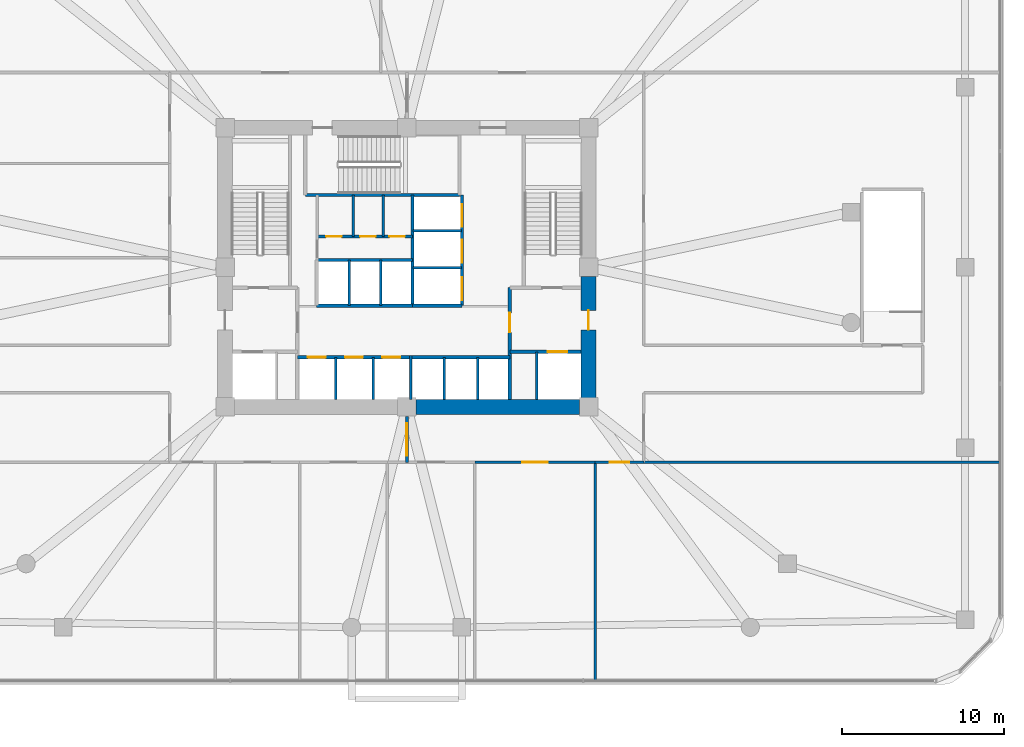
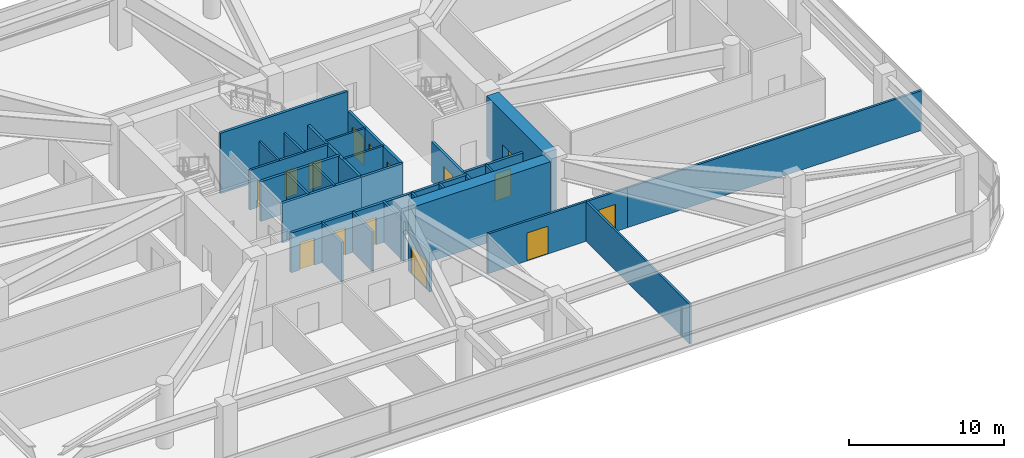
# One storey, part 17 of 21: 30 walls, 15 doors, 15 openings.
"""IFC4 building model written with IfcOpenShell, lengths in metres."""

from ifc_helpers import new_model, si_unit, derived_unit, direction, frame, frame_2d, origin, place, context, subcontext, project, spatial, rectangle, extrude, material, layer, layer_set, type_object, element, fill, save


model = new_model("IFC4")

# Units and contexts
model_context = context("Model", 3, precision=1e-05, world=origin(), true_north=direction((0.0, 1.0)))
body_context = subcontext(model_context, "Body", "Model", "MODEL_VIEW")
ifc_project = project(units=[si_unit("LENGTHUNIT", "METRE"), si_unit("AREAUNIT", "SQUARE_METRE"), si_unit("VOLUMEUNIT", "CUBIC_METRE"), si_unit("PLANEANGLEUNIT", "RADIAN"), si_unit("MASSUNIT", "GRAM", prefix="KILO"), derived_unit("THERMALTRANSMITTANCEUNIT", [(si_unit("POWERUNIT", "WATT"), 1), (si_unit("LENGTHUNIT", "METRE"), -2), (si_unit("THERMODYNAMICTEMPERATUREUNIT", "KELVIN"), -1)])], contexts=[model_context])

# Site, building, storey
site_placement = place(None, origin())
site = spatial("IfcSite", under=ifc_project, at=site_placement, CompositionType="ELEMENT")
building_placement = place(site_placement, origin())
building = spatial("IfcBuilding", under=site, at=building_placement, Name="Koralith Skygarden Medical Center", CompositionType="ELEMENT")
storey_placement = place(building_placement, frame((0.0, 0.0, 18.89990234375)))
storey = spatial("IfcBuildingStorey", under=building, at=storey_placement, Name="L04", CompositionType="ELEMENT", Elevation=18.89990234375)

# Walls
ifc_material_1 = material(Name="Gypsum Board Partition")
ifc_layer_1 = layer(ifc_material_1, 0.14990234375)
ifc_layer_set_1 = layer_set([ifc_layer_1], Name="Gypsum Board Partition")
wall_type_1 = type_object("IfcWallType", Name="Clinical Acoustic Partition 150", PredefinedType="PARTITIONING", material=ifc_layer_set_1)
for number, where, z_axis, x_axis, name in (
    (1, (33.699951171875, 27.800048828125, 0.0), (0.0, 0.0, 1.0), (0.0, 1.0, 0.0), "L04 Clinical Acoustic Partition 150 W-CORE-L04-FLEX-V2A"),
    (2, (35.56005859375, 27.800048828125, 0.0), (0.0, 0.0, 1.0), (0.0, 1.0, 0.0), "L04 Clinical Acoustic Partition 150 W-CORE-L04-FLEX-V2B"),
):
    element("IfcWall", number, at=place(storey_placement, frame(where, z_axis=z_axis, x_axis=x_axis)), inside=storey, type_object=wall_type_1, Name=name, PredefinedType="PARTITIONING", context=body_context, shape_type="SweptSolid", body=[
        extrude(rectangle(XDim=2.56005859375, YDim=0.14990234375, at=frame_2d((1.280029296875, 0.0))), origin(), (0.0, 0.0, 1.0), 3.130126953125),
    ])
wall_1_placement = place(storey_placement, frame((48.60009765625, 0.43994140625, 0.0), z_axis=(0.0, 0.0, 1.0), x_axis=(0.0, 1.0, 0.0)))
element("IfcWall", 3, at=wall_1_placement, inside=storey, type_object=wall_type_1, Name="L04 Clinical Acoustic Partition 150 W-PDPART-L04-S-5", PredefinedType="PARTITIONING", context=body_context, shape_type="SweptSolid", body=[
    extrude(rectangle(XDim=13.449951171875, YDim=0.14990234375, at=frame_2d((6.72509765625, 0.0))), origin(), (0.0, 0.0, 1.0), 3.130126953125),
])
ifc_layer_2 = layer(ifc_material_1, 0.1650390625)
ifc_layer_set_2 = layer_set([ifc_layer_2], Name="Gypsum Board Partition")
wall_type_2 = type_object("IfcWallType", Name="Clinical Corridor Partition 165", PredefinedType="PARTITIONING", material=ifc_layer_set_2)
wall_2_placement = place(storey_placement, frame((51.610107421875, 13.889892578125, 0.0), z_axis=(0.0, 0.0, 1.0), x_axis=(1.0, 0.0, 0.0)))
element("IfcWall", 4, at=wall_2_placement, inside=storey, type_object=wall_type_2, Name="L04 Clinical Corridor Partition 165 W-WB-L04-SE", PredefinedType="PARTITIONING", context=body_context, shape_type="SweptSolid", body=[
    extrude(rectangle(XDim=21.949951171875, YDim=0.1650390625, at=frame_2d((10.97509765625, 0.0))), origin(), (0.0, 0.0, 1.0), 3.130126953125),
])

# Wall, opening, door
wall_3_placement = place(storey_placement, frame((41.199951171875, 13.889892578125, 0.0), z_axis=(0.0, 0.0, 1.0), x_axis=(1.0, 0.0, 0.0)))
wall_3 = element("IfcWall", 5, at=wall_3_placement, inside=storey, type_object=wall_type_2, Name="L04 Clinical Corridor Partition 165 W-PDCOR-L04-S-5", PredefinedType="PARTITIONING", context=body_context, shape_type="SweptSolid", body=[
    extrude(rectangle(XDim=7.400146484375, YDim=0.1650390625, at=frame_2d((3.7001953125, 0.0))), origin(), (0.0, 0.0, 1.0), 3.130126953125),
])
opening_1_placement = place(wall_3_placement, frame((2.89990234375, 0.0, 0.0)))
opening_1 = element("IfcOpeningElement", 6, at=opening_1_placement, cuts=wall_3, Name="Opening D-DBL", PredefinedType="OPENING", context=body_context, shape_type="SweptSolid", body=[
    extrude(rectangle(XDim=1.60009765625, YDim=2.199951171875, at=frame_2d((0.800048828125, 1.10009765625))), frame((0.0, 0.092529296875, 0.0), z_axis=(0.0, -1.0, 0.0), x_axis=(1.0, 0.0, 0.0)), (0.0, 0.0, 1.0), 0.18505859375),
])
ifc_material_2 = material(Name="Aluminium 6063-T6", Category="aluminium")
door_type_1 = type_object("IfcDoorType", Name="Double Clinical Suite Door D-DBL 1600", OperationType="NOTDEFINED", PredefinedType="DOOR", material=ifc_material_2)
door_1_placement = place(opening_1_placement, frame((1.60009765625, 0.0, 0.0), z_axis=(0.0, 0.0, 1.0), x_axis=(-1.0, 0.0, 0.0)))
door_1 = element("IfcDoor", 7, at=door_1_placement, inside=storey, type_object=door_type_1, Name="L04 Surgical Morbidity Conference Room Door", OperationType="DOUBLE_DOOR_SINGLE_SWING", OverallHeight=2.199951171875, OverallWidth=1.60009765625, PredefinedType="DOOR", context=body_context, shape_type="SweptSolid", body=[
    extrude(rectangle(XDim=1.60009765625, YDim=2.199951171875, at=frame_2d((0.800048828125, 1.10009765625))), frame((0.0, 0.02490234375, 0.0), z_axis=(0.0, -1.0, 0.0), x_axis=(1.0, 0.0, 0.0)), (0.0, 0.0, 1.0), 0.050048828125),
])
fill(opening_1, door_1)

wall_4_placement = place(storey_placement, frame((48.60009765625, 13.889892578125, 0.0), z_axis=(0.0, 0.0, 1.0), x_axis=(1.0, 0.0, 0.0)))
wall_4 = element("IfcWall", 8, at=wall_4_placement, inside=storey, type_object=wall_type_2, Name="L04 Clinical Corridor Partition 165 W-PDCOR-L04-S-6", PredefinedType="PARTITIONING", context=body_context, shape_type="SweptSolid", body=[
    extrude(rectangle(XDim=3.010009765625, YDim=0.1650390625, at=frame_2d((1.5048828125, 0.0))), origin(), (0.0, 0.0, 1.0), 3.130126953125),
])
opening_2_placement = place(wall_4_placement, frame((0.905029296875, 0.0, 0.0)))
opening_2 = element("IfcOpeningElement", 9, at=opening_2_placement, cuts=wall_4, Name="Opening D-CLN", PredefinedType="OPENING", context=body_context, shape_type="SweptSolid", body=[
    extrude(rectangle(XDim=1.199951171875, YDim=2.14990234375, at=frame_2d((0.60009765625, 1.074951171875))), frame((0.0, 0.092529296875, 0.0), z_axis=(0.0, -1.0, 0.0), x_axis=(1.0, 0.0, 0.0)), (0.0, 0.0, 1.0), 0.18505859375),
])
door_type_2 = type_object("IfcDoorType", Name="Clinical Corridor Door D-CLN 1200", OperationType="NOTDEFINED", PredefinedType="DOOR", material=ifc_material_2)
door_2_placement = place(opening_2_placement, frame((1.199951171875, 0.0, 0.0), z_axis=(0.0, 0.0, 1.0), x_axis=(-1.0, 0.0, 0.0)))
door_2 = element("IfcDoor", 10, at=door_2_placement, inside=storey, type_object=door_type_2, Name="L04 Post-Anesthesia Care Unit PACU Ward Door", OperationType="SINGLE_SWING_LEFT", OverallHeight=2.14990234375, OverallWidth=1.199951171875, PredefinedType="DOOR", context=body_context, shape_type="SweptSolid", body=[
    extrude(rectangle(XDim=1.199951171875, YDim=2.14990234375, at=frame_2d((0.60009765625, 1.074951171875))), frame((0.0, 0.02490234375, 0.0), z_axis=(0.0, -1.0, 0.0), x_axis=(1.0, 0.0, 0.0)), (0.0, 0.0, 1.0), 0.050048828125),
])
fill(opening_2, door_2)

ifc_layer_3 = layer(ifc_material_1, 0.199951171875)
ifc_layer_set_3 = layer_set([ifc_layer_3], Name="Gypsum Board Partition")
wall_type_3 = type_object("IfcWallType", Name="Fire Shaft Wall 200", PredefinedType="SOLIDWALL", material=ifc_layer_set_3)
wall_5_placement = place(storey_placement, frame((43.35009765625, 20.699951171875, 0.0), z_axis=(0.0, 0.0, 1.0), x_axis=(1.0, 0.0, 0.0)))
wall_5 = element("IfcWall", 11, at=wall_5_placement, inside=storey, type_object=wall_type_3, Name="L04 Fire Shaft Wall 200 W-CORE-L04-FF2-N", PredefinedType="SOLIDWALL", context=body_context, shape_type="SweptSolid", body=[
    extrude(rectangle(XDim=4.39990234375, YDim=0.199951171875, at=frame_2d((2.199951171875, 0.0))), origin(), (0.0, 0.0, 1.0), 3.130126953125),
])
opening_3_placement = place(wall_5_placement, frame((2.35009765625, 0.0, 0.0)))
opening_3 = element("IfcOpeningElement", 12, at=opening_3_placement, cuts=wall_5, Name="Opening LD-FF", PredefinedType="OPENING", context=body_context, shape_type="SweptSolid", body=[
    extrude(rectangle(XDim=1.199951171875, YDim=2.14990234375, at=frame_2d((0.60009765625, 1.074951171875))), frame((0.0, 0.10986328125, 0.0), z_axis=(0.0, -1.0, 0.0), x_axis=(1.0, 0.0, 0.0)), (0.0, 0.0, 1.0), 0.219970703125),
])
ifc_material_3 = material(Name="Steel ASTM A500 Grade C", Category="steel")
door_type_3 = type_object("IfcDoorType", Name="Fire Lift Sliding Landing Door LD-FF 1200", OperationType="NOTDEFINED", PredefinedType="DOOR", material=ifc_material_3)
door_3_placement = place(opening_3_placement, origin())
door_3 = element("IfcDoor", 13, at=door_3_placement, inside=storey, type_object=door_type_3, Name="L04 Fire Service Elevator FF2 Landing Door", OperationType="SLIDING_TO_RIGHT", OverallHeight=2.14990234375, OverallWidth=1.199951171875, PredefinedType="DOOR", context=body_context, shape_type="SweptSolid", body=[
    extrude(rectangle(XDim=1.199951171875, YDim=2.14990234375, at=frame_2d((0.60009765625, 1.074951171875))), frame((0.0, 0.02490234375, 0.0), z_axis=(0.0, -1.0, 0.0), x_axis=(1.0, 0.0, 0.0)), (0.0, 0.0, 1.0), 0.050048828125),
])
fill(opening_3, door_3)

wall_6_placement = place(storey_placement, frame((43.35009765625, 17.75, 0.0), z_axis=(0.0, 0.0, 1.0), x_axis=(0.0, 1.0, 0.0)))
wall_6 = element("IfcWall", 14, at=wall_6_placement, inside=storey, type_object=wall_type_3, Name="L04 Fire Shaft Wall 200 W-CORE-L04-FSAEE-W", PredefinedType="SOLIDWALL", context=body_context, shape_type="SweptSolid", body=[
    extrude(rectangle(XDim=6.89990234375, YDim=0.199951171875, at=frame_2d((3.449951171875, 0.0))), origin(), (0.0, 0.0, 1.0), 3.130126953125),
])
opening_4_placement = place(wall_6_placement, frame((4.14990234375, 0.0, 0.0)))
opening_4 = element("IfcOpeningElement", 15, at=opening_4_placement, cuts=wall_6, Name="Opening D-ST60", PredefinedType="OPENING", context=body_context, shape_type="SweptSolid", body=[
    extrude(rectangle(XDim=1.199951171875, YDim=2.14990234375, at=frame_2d((0.60009765625, 1.074951171875))), frame((0.0, 0.10986328125, 0.0), z_axis=(0.0, -1.0, 0.0), x_axis=(1.0, 0.0, 0.0)), (0.0, 0.0, 1.0), 0.219970703125),
])
door_type_4 = type_object("IfcDoorType", Name="Smokeproof Stair Fire Door FD60S 1200", OperationType="NOTDEFINED", PredefinedType="DOOR", material=ifc_material_3)
door_4_placement = place(opening_4_placement, frame((1.199951171875, 0.0, 0.0), z_axis=(0.0, 0.0, 1.0), x_axis=(-1.0, 0.0, 0.0)))
door_4 = element("IfcDoor", 16, at=door_4_placement, inside=storey, type_object=door_type_4, Name="L04 East Firefighting Lobby Inner Fire Door", OperationType="SINGLE_SWING_RIGHT", OverallHeight=2.14990234375, OverallWidth=1.199951171875, PredefinedType="DOOR", context=body_context, shape_type="SweptSolid", body=[
    extrude(rectangle(XDim=1.199951171875, YDim=2.14990234375, at=frame_2d((0.60009765625, 1.074951171875))), frame((0.0, 0.02490234375, 0.0), z_axis=(0.0, -1.0, 0.0), x_axis=(1.0, 0.0, 0.0)), (0.0, 0.0, 1.0), 0.050048828125),
])
fill(opening_4, door_4)

# Wall, openings, doors
wall_7_placement = place(storey_placement, frame((30.25, 20.360107421875, 0.0), z_axis=(0.0, 0.0, 1.0), x_axis=(1.0, 0.0, 0.0)))
wall_7 = element("IfcWall", 17, at=wall_7_placement, inside=storey, type_object=wall_type_3, Name="L04 Fire Shaft Wall 200 W-CORE-L04-PL-N", PredefinedType="SOLIDWALL", context=body_context, shape_type="SweptSolid", body=[
    extrude(rectangle(XDim=7.0, YDim=0.199951171875, at=frame_2d((3.5, 0.0))), origin(), (0.0, 0.0, 1.0), 3.130126953125),
])
opening_5_placement = place(wall_7_placement, frame((0.64990234375, 0.0, 0.0)))
opening_5 = element("IfcOpeningElement", 18, at=opening_5_placement, cuts=wall_7, Name="Opening LD-P", PredefinedType="OPENING", context=body_context, shape_type="SweptSolid", body=[
    extrude(rectangle(XDim=1.10009765625, YDim=2.14990234375, at=frame_2d((0.550048828125, 1.074951171875))), frame((0.0, 0.10986328125, 0.0), z_axis=(0.0, -1.0, 0.0), x_axis=(1.0, 0.0, 0.0)), (0.0, 0.0, 1.0), 0.219970703125),
])
opening_6_placement = place(wall_7_placement, frame((2.949951171875, 0.0, 0.0)))
opening_6 = element("IfcOpeningElement", 19, at=opening_6_placement, cuts=wall_7, Name="Opening LD-P", PredefinedType="OPENING", context=body_context, shape_type="SweptSolid", body=[
    extrude(rectangle(XDim=1.10009765625, YDim=2.14990234375, at=frame_2d((0.550048828125, 1.074951171875))), frame((0.0, 0.10986328125, 0.0), z_axis=(0.0, -1.0, 0.0), x_axis=(1.0, 0.0, 0.0)), (0.0, 0.0, 1.0), 0.219970703125),
])
opening_7_placement = place(wall_7_placement, frame((5.25, 0.0, 0.0)))
opening_7 = element("IfcOpeningElement", 20, at=opening_7_placement, cuts=wall_7, Name="Opening LD-P", PredefinedType="OPENING", context=body_context, shape_type="SweptSolid", body=[
    extrude(rectangle(XDim=1.10009765625, YDim=2.14990234375, at=frame_2d((0.550048828125, 1.074951171875))), frame((0.0, 0.10986328125, 0.0), z_axis=(0.0, -1.0, 0.0), x_axis=(1.0, 0.0, 0.0)), (0.0, 0.0, 1.0), 0.219970703125),
])
door_type_5 = type_object("IfcDoorType", Name="Passenger Lift Sliding Landing Door LD-P 1100", OperationType="NOTDEFINED", PredefinedType="DOOR", material=ifc_material_3)
door_5_placement = place(opening_5_placement, origin())
door_5 = element("IfcDoor", 21, at=door_5_placement, inside=storey, type_object=door_type_5, Name="L04 Passenger Elevator PL1 Landing Door", OperationType="SLIDING_TO_LEFT", OverallHeight=2.14990234375, OverallWidth=1.10009765625, PredefinedType="DOOR", context=body_context, shape_type="SweptSolid", body=[
    extrude(rectangle(XDim=1.10009765625, YDim=2.14990234375, at=frame_2d((0.550048828125, 1.074951171875))), frame((0.0, 0.02490234375, 0.0), z_axis=(0.0, -1.0, 0.0), x_axis=(1.0, 0.0, 0.0)), (0.0, 0.0, 1.0), 0.050048828125),
])
fill(opening_5, door_5)
door_6_placement = place(opening_6_placement, origin())
door_6 = element("IfcDoor", 22, at=door_6_placement, inside=storey, type_object=door_type_5, Name="L04 Passenger Elevator PL2 Landing Door", OperationType="SLIDING_TO_LEFT", OverallHeight=2.14990234375, OverallWidth=1.10009765625, PredefinedType="DOOR", context=body_context, shape_type="SweptSolid", body=[
    extrude(rectangle(XDim=1.10009765625, YDim=2.14990234375, at=frame_2d((0.550048828125, 1.074951171875))), frame((0.0, 0.02490234375, 0.0), z_axis=(0.0, -1.0, 0.0), x_axis=(1.0, 0.0, 0.0)), (0.0, 0.0, 1.0), 0.050048828125),
])
fill(opening_6, door_6)
door_7_placement = place(opening_7_placement, origin())
door_7 = element("IfcDoor", 23, at=door_7_placement, inside=storey, type_object=door_type_5, Name="L04 Passenger Elevator PL3 Landing Door", OperationType="SLIDING_TO_LEFT", OverallHeight=2.14990234375, OverallWidth=1.10009765625, PredefinedType="DOOR", context=body_context, shape_type="SweptSolid", body=[
    extrude(rectangle(XDim=1.10009765625, YDim=2.14990234375, at=frame_2d((0.550048828125, 1.074951171875))), frame((0.0, 0.02490234375, 0.0), z_axis=(0.0, -1.0, 0.0), x_axis=(1.0, 0.0, 0.0)), (0.0, 0.0, 1.0), 0.050048828125),
])
fill(opening_7, door_7)

# Walls
wall_8_placement = place(storey_placement, frame((37.25, 20.360107421875, 0.0), z_axis=(0.0, 0.0, 1.0), x_axis=(1.0, 0.0, 0.0)))
element("IfcWall", 24, at=wall_8_placement, inside=storey, type_object=wall_type_3, Name="L04 Fire Shaft Wall 200 W-CORE-L04-PM-N", PredefinedType="SOLIDWALL", context=body_context, shape_type="SweptSolid", body=[
    extrude(rectangle(XDim=6.10009765625, YDim=0.199951171875, at=frame_2d((3.050048828125, 0.0))), origin(), (0.0, 0.0, 1.0), 3.130126953125),
])
for number, where, z_axis, x_axis, name in (
    (25, (31.449951171875, 23.5400390625, 0.0), (0.0, 0.0, 1.0), (1.0, 0.0, 0.0), "L04 Fire Shaft Wall 200 W-CORE-L04-PH-S"),
    (26, (31.449951171875, 26.35009765625, 0.0), (0.0, 0.0, 1.0), (1.0, 0.0, 0.0), "L04 Fire Shaft Wall 200 W-CORE-L04-PH-N"),
):
    element("IfcWall", number, at=place(storey_placement, frame(where, z_axis=z_axis, x_axis=x_axis)), inside=storey, type_object=wall_type_3, Name=name, PredefinedType="SOLIDWALL", context=body_context, shape_type="SweptSolid", body=[
        extrude(rectangle(XDim=5.900146484375, YDim=0.199951171875, at=frame_2d((2.9501953125, 0.0))), origin(), (0.0, 0.0, 1.0), 3.130126953125),
    ])
wall_9_placement = place(storey_placement, frame((37.35009765625, 23.5400390625, 0.0), z_axis=(0.0, 0.0, 1.0), x_axis=(0.0, 1.0, 0.0)))
element("IfcWall", 27, at=wall_9_placement, inside=storey, type_object=wall_type_3, Name="L04 Fire Shaft Wall 200 W-CORE-L04-SV-W", PredefinedType="SOLIDWALL", context=body_context, shape_type="SweptSolid", body=[
    extrude(rectangle(XDim=6.820068359375, YDim=0.199951171875, at=frame_2d((3.41015625, 0.0))), origin(), (0.0, 0.0, 1.0), 3.130126953125),
])
wall_10_placement = place(storey_placement, frame((37.35009765625, 23.5400390625, 0.0), z_axis=(0.0, 0.0, 1.0), x_axis=(1.0, 0.0, 0.0)))
element("IfcWall", 28, at=wall_10_placement, inside=storey, type_object=wall_type_3, Name="L04 Fire Shaft Wall 200 W-CORE-L04-SV-S", PredefinedType="SOLIDWALL", context=body_context, shape_type="SweptSolid", body=[
    extrude(rectangle(XDim=3.0498046875, YDim=0.199951171875, at=frame_2d((1.52490234375, 0.0))), origin(), (0.0, 0.0, 1.0), 3.130126953125),
])

# Wall, openings, doors
wall_11_placement = place(storey_placement, frame((40.39990234375, 23.5400390625, 0.0), z_axis=(0.0, 0.0, 1.0), x_axis=(0.0, 1.0, 0.0)))
wall_11 = element("IfcWall", 29, at=wall_11_placement, inside=storey, type_object=wall_type_3, Name="L04 Fire Shaft Wall 200 W-CORE-L04-SV-E", PredefinedType="SOLIDWALL", context=body_context, shape_type="SweptSolid", body=[
    extrude(rectangle(XDim=6.820068359375, YDim=0.199951171875, at=frame_2d((3.41015625, 0.0))), origin(), (0.0, 0.0, 1.0), 3.130126953125),
])
opening_8_placement = place(wall_11_placement, frame((0.35009765625, 0.0, 0.0)))
opening_8 = element("IfcOpeningElement", 30, at=opening_8_placement, cuts=wall_11, Name="Opening LD-SV", PredefinedType="OPENING", context=body_context, shape_type="SweptSolid", body=[
    extrude(rectangle(XDim=1.39990234375, YDim=2.199951171875, at=frame_2d((0.699951171875, 1.10009765625))), frame((0.0, 0.10986328125, 0.0), z_axis=(0.0, -1.0, 0.0), x_axis=(1.0, 0.0, 0.0)), (0.0, 0.0, 1.0), 0.219970703125),
])
opening_9_placement = place(wall_11_placement, frame((2.64990234375, 0.0, 0.0)))
opening_9 = element("IfcOpeningElement", 31, at=opening_9_placement, cuts=wall_11, Name="Opening LD-SV", PredefinedType="OPENING", context=body_context, shape_type="SweptSolid", body=[
    extrude(rectangle(XDim=1.39990234375, YDim=2.199951171875, at=frame_2d((0.699951171875, 1.10009765625))), frame((0.0, 0.10986328125, 0.0), z_axis=(0.0, -1.0, 0.0), x_axis=(1.0, 0.0, 0.0)), (0.0, 0.0, 1.0), 0.219970703125),
])
opening_10_placement = place(wall_11_placement, frame((4.85009765625, 0.0, 0.0)))
opening_10 = element("IfcOpeningElement", 32, at=opening_10_placement, cuts=wall_11, Name="Opening LD-SV", PredefinedType="OPENING", context=body_context, shape_type="SweptSolid", body=[
    extrude(rectangle(XDim=1.39990234375, YDim=2.199951171875, at=frame_2d((0.699951171875, 1.10009765625))), frame((0.0, 0.10986328125, 0.0), z_axis=(0.0, -1.0, 0.0), x_axis=(1.0, 0.0, 0.0)), (0.0, 0.0, 1.0), 0.219970703125),
])
door_type_6 = type_object("IfcDoorType", Name="Bed Lift Sliding Landing Door LD-SV 1400", OperationType="NOTDEFINED", PredefinedType="DOOR", material=ifc_material_3)
door_8_placement = place(opening_8_placement, origin())
door_8 = element("IfcDoor", 33, at=door_8_placement, inside=storey, type_object=door_type_6, Name="L04 Bed Elevator BD1 Landing Door", OperationType="SLIDING_TO_LEFT", OverallHeight=2.199951171875, OverallWidth=1.39990234375, PredefinedType="DOOR", context=body_context, shape_type="SweptSolid", body=[
    extrude(rectangle(XDim=1.39990234375, YDim=2.199951171875, at=frame_2d((0.699951171875, 1.10009765625))), frame((0.0, 0.02490234375, 0.0), z_axis=(0.0, -1.0, 0.0), x_axis=(1.0, 0.0, 0.0)), (0.0, 0.0, 1.0), 0.050048828125),
])
fill(opening_8, door_8)
door_9_placement = place(opening_9_placement, origin())
door_9 = element("IfcDoor", 34, at=door_9_placement, inside=storey, type_object=door_type_6, Name="L04 Service Elevator BD2 Landing Door", OperationType="SLIDING_TO_LEFT", OverallHeight=2.199951171875, OverallWidth=1.39990234375, PredefinedType="DOOR", context=body_context, shape_type="SweptSolid", body=[
    extrude(rectangle(XDim=1.39990234375, YDim=2.199951171875, at=frame_2d((0.699951171875, 1.10009765625))), frame((0.0, 0.02490234375, 0.0), z_axis=(0.0, -1.0, 0.0), x_axis=(1.0, 0.0, 0.0)), (0.0, 0.0, 1.0), 0.050048828125),
])
fill(opening_9, door_9)
door_10_placement = place(opening_10_placement, origin())
door_10 = element("IfcDoor", 35, at=door_10_placement, inside=storey, type_object=door_type_6, Name="L04 Trauma Elevator TR1 Landing Door", OperationType="SLIDING_TO_RIGHT", OverallHeight=2.199951171875, OverallWidth=1.39990234375, PredefinedType="DOOR", context=body_context, shape_type="SweptSolid", body=[
    extrude(rectangle(XDim=1.39990234375, YDim=2.199951171875, at=frame_2d((0.699951171875, 1.10009765625))), frame((0.0, 0.02490234375, 0.0), z_axis=(0.0, -1.0, 0.0), x_axis=(1.0, 0.0, 0.0)), (0.0, 0.0, 1.0), 0.050048828125),
])
fill(opening_10, door_10)

# Wall, opening, door
ifc_layer_4 = layer(ifc_material_1, 0.179931640625)
ifc_layer_set_4 = layer_set([ifc_layer_4], Name="Gypsum Board Partition")
wall_type_4 = type_object("IfcWallType", Name="Group I-2 Smoke Barrier Wall 180", PredefinedType="PARTITIONING", material=ifc_layer_set_4)
wall_12_placement = place(storey_placement, frame((37.0, 13.889892578125, 0.0), z_axis=(0.0, 0.0, 1.0), x_axis=(0.0, 1.0, 0.0)))
wall_12 = element("IfcWall", 36, at=wall_12_placement, inside=storey, type_object=wall_type_4, Name="L04 Group I-2 Smoke Barrier Wall 180 W-PSMK-L04-S", PredefinedType="PARTITIONING", context=body_context, shape_type="SweptSolid", body=[
    extrude(rectangle(XDim=2.830078125, YDim=0.179931640625, at=frame_2d((1.4150390625, 0.0))), origin(), (0.0, 0.0, 1.0), 3.130126953125),
])
opening_11_placement = place(wall_12_placement, frame((0.4150390625, 0.0, 0.0)))
opening_11 = element("IfcOpeningElement", 37, at=opening_11_placement, cuts=wall_12, Name="Opening D-SMK", PredefinedType="OPENING", context=body_context, shape_type="SweptSolid", body=[
    extrude(rectangle(XDim=2.0, YDim=2.199951171875, at=frame_2d((1.0, 1.10009765625))), frame((0.0, 0.099853515625, 0.0), z_axis=(0.0, -1.0, 0.0), x_axis=(1.0, 0.0, 0.0)), (0.0, 0.0, 1.0), 0.199951171875),
])
door_type_7 = type_object("IfcDoorType", Name="Cross-Corridor Double Smoke Door FD60S 2000", OperationType="NOTDEFINED", PredefinedType="DOOR", material=ifc_material_3)
door_11_placement = place(opening_11_placement, frame((2.0, 0.0, 0.0), z_axis=(0.0, 0.0, 1.0), x_axis=(-1.0, 0.0, 0.0)))
door_11 = element("IfcDoor", 38, at=door_11_placement, inside=storey, type_object=door_type_7, Name="L04 S Podium Smoke Door", OperationType="DOUBLE_DOOR_SINGLE_SWING", OverallHeight=2.199951171875, OverallWidth=2.0, PredefinedType="DOOR", context=body_context, shape_type="SweptSolid", body=[
    extrude(rectangle(XDim=2.0, YDim=2.199951171875, at=frame_2d((1.0, 1.10009765625))), frame((0.0, 0.02490234375, 0.0), z_axis=(0.0, -1.0, 0.0), x_axis=(1.0, 0.0, 0.0)), (0.0, 0.0, 1.0), 0.050048828125),
])
fill(opening_11, door_11)

# Wall
ifc_material_4 = material(Name="Concrete C70/85", Category="concrete")
ifc_layer_5 = layer(ifc_material_4, 0.89990234375)
ifc_layer_set_5 = layer_set([ifc_layer_5], Name="Concrete C70/85")
wall_type_5 = type_object("IfcWallType", Name="Lower Core Shear Wall 900", PredefinedType="SHEAR", material=ifc_layer_set_5)
wall_13_placement = place(storey_placement, frame((37.56494140625, 17.300048828125, 0.0), z_axis=(0.0, 0.0, 1.0), x_axis=(1.0, 0.0, 0.0)))
element("IfcWall", 39, at=wall_13_placement, inside=storey, type_object=wall_type_5, Name="L04 Core Shear Wall Segment 2", PredefinedType="SHEAR", context=body_context, shape_type="SweptSolid", body=[
    extrude(rectangle(XDim=10.070068359375, YDim=0.89990234375, at=frame_2d((5.03515625, 0.0))), origin(), (0.0, 0.0, 1.0), 4.760009765625),
])

# Wall, opening, door
wall_14_placement = place(storey_placement, frame((48.199951171875, 17.864990234375, 0.0), z_axis=(0.0, 0.0, 1.0), x_axis=(0.0, 1.0, 0.0)))
wall_14 = element("IfcWall", 40, at=wall_14_placement, inside=storey, type_object=wall_type_5, Name="L04 Core Shear Wall Segment 3", PredefinedType="SHEAR", context=body_context, shape_type="SweptSolid", body=[
    extrude(rectangle(XDim=7.469970703125, YDim=0.89990234375, at=frame_2d((3.73486328125, 0.0))), origin(), (0.0, 0.0, 1.0), 4.760009765625),
])
opening_12_placement = place(wall_14_placement, frame((4.18505859375, 0.0, 0.0)))
opening_12 = element("IfcOpeningElement", 41, at=opening_12_placement, cuts=wall_14, Name="Opening D-ST60", PredefinedType="OPENING", context=body_context, shape_type="SweptSolid", body=[
    extrude(rectangle(XDim=1.199951171875, YDim=2.14990234375, at=frame_2d((0.60009765625, 1.074951171875))), frame((0.0, 0.4599609375, 0.0), z_axis=(0.0, -1.0, 0.0), x_axis=(1.0, 0.0, 0.0)), (0.0, 0.0, 1.0), 0.919921875),
])
door_12_placement = place(opening_12_placement, frame((1.199951171875, 0.0, 0.0), z_axis=(0.0, 0.0, 1.0), x_axis=(-1.0, 0.0, 0.0)))
door_12 = element("IfcDoor", 42, at=door_12_placement, inside=storey, type_object=door_type_4, Name="L04 East Corridor to Firefighting Lobby Door", OperationType="SINGLE_SWING_RIGHT", OverallHeight=2.14990234375, OverallWidth=1.199951171875, PredefinedType="DOOR", context=body_context, shape_type="SweptSolid", body=[
    extrude(rectangle(XDim=1.199951171875, YDim=2.14990234375, at=frame_2d((0.60009765625, 1.074951171875))), frame((0.0, 0.02490234375, 0.0), z_axis=(0.0, -1.0, 0.0), x_axis=(1.0, 0.0, 0.0)), (0.0, 0.0, 1.0), 0.050048828125),
])
fill(opening_12, door_12)

# Wall, openings, doors
ifc_layer_6 = layer(ifc_material_1, 0.1650390625)
ifc_layer_set_6 = layer_set([ifc_layer_6], Name="Gypsum Board Partition")
wall_type_6 = type_object("IfcWallType", Name="Plumbing Wet Wall 165", PredefinedType="PLUMBINGWALL", material=ifc_layer_set_6)
wall_15_placement = place(storey_placement, frame((31.47998046875, 27.800048828125, 0.0), z_axis=(0.0, 0.0, 1.0), x_axis=(1.0, 0.0, 0.0)))
wall_15 = element("IfcWall", 43, at=wall_15_placement, inside=storey, type_object=wall_type_6, Name="L04 Plumbing Wet Wall 165 W-CORE-L04-FLEX-H2", PredefinedType="PLUMBINGWALL", context=body_context, shape_type="SweptSolid", body=[
    extrude(rectangle(XDim=5.8701171875, YDim=0.1650390625, at=frame_2d((2.93505859375, 0.0))), origin(), (0.0, 0.0, 1.0), 3.130126953125),
])
opening_13_placement = place(wall_15_placement, frame((0.550048828125, 0.0, 0.0)))
opening_13 = element("IfcOpeningElement", 44, at=opening_13_placement, cuts=wall_15, Name="Opening D-WC", PredefinedType="OPENING", context=body_context, shape_type="SweptSolid", body=[
    extrude(rectangle(XDim=0.949951171875, YDim=2.10009765625, at=frame_2d((0.47509765625, 1.050048828125))), frame((0.0, 0.092529296875, 0.0), z_axis=(0.0, -1.0, 0.0), x_axis=(1.0, 0.0, 0.0)), (0.0, 0.0, 1.0), 0.18505859375),
])
opening_14_placement = place(wall_15_placement, frame((2.64990234375, 0.0, 0.0)))
opening_14 = element("IfcOpeningElement", 45, at=opening_14_placement, cuts=wall_15, Name="Opening D-WC", PredefinedType="OPENING", context=body_context, shape_type="SweptSolid", body=[
    extrude(rectangle(XDim=0.949951171875, YDim=2.10009765625, at=frame_2d((0.47509765625, 1.050048828125))), frame((0.0, 0.092529296875, 0.0), z_axis=(0.0, -1.0, 0.0), x_axis=(1.0, 0.0, 0.0)), (0.0, 0.0, 1.0), 0.18505859375),
])
opening_15_placement = place(wall_15_placement, frame((4.449951171875, 0.0, 0.0)))
opening_15 = element("IfcOpeningElement", 46, at=opening_15_placement, cuts=wall_15, Name="Opening D-WC", PredefinedType="OPENING", context=body_context, shape_type="SweptSolid", body=[
    extrude(rectangle(XDim=0.949951171875, YDim=2.10009765625, at=frame_2d((0.47509765625, 1.050048828125))), frame((0.0, 0.092529296875, 0.0), z_axis=(0.0, -1.0, 0.0), x_axis=(1.0, 0.0, 0.0)), (0.0, 0.0, 1.0), 0.18505859375),
])
door_type_8 = type_object("IfcDoorType", Name="Accessible Toilet Door D-WC 950", OperationType="NOTDEFINED", PredefinedType="DOOR", material=ifc_material_2)
door_13_placement = place(opening_13_placement, origin())
door_13 = element("IfcDoor", 47, at=door_13_placement, inside=storey, type_object=door_type_8, Name="L04 Core Accessible WC Door", OperationType="SINGLE_SWING_LEFT", OverallHeight=2.10009765625, OverallWidth=0.949951171875, PredefinedType="DOOR", context=body_context, shape_type="SweptSolid", body=[
    extrude(rectangle(XDim=0.949951171875, YDim=2.10009765625, at=frame_2d((0.47509765625, 1.050048828125))), frame((0.0, 0.02490234375, 0.0), z_axis=(0.0, -1.0, 0.0), x_axis=(1.0, 0.0, 0.0)), (0.0, 0.0, 1.0), 0.050048828125),
])
fill(opening_13, door_13)
door_14_placement = place(opening_14_placement, origin())
door_14 = element("IfcDoor", 48, at=door_14_placement, inside=storey, type_object=door_type_8, Name="L04 Soiled Sluice Door", OperationType="SINGLE_SWING_LEFT", OverallHeight=2.10009765625, OverallWidth=0.949951171875, PredefinedType="DOOR", context=body_context, shape_type="SweptSolid", body=[
    extrude(rectangle(XDim=0.949951171875, YDim=2.10009765625, at=frame_2d((0.47509765625, 1.050048828125))), frame((0.0, 0.02490234375, 0.0), z_axis=(0.0, -1.0, 0.0), x_axis=(1.0, 0.0, 0.0)), (0.0, 0.0, 1.0), 0.050048828125),
])
fill(opening_14, door_14)
door_15_placement = place(opening_15_placement, origin())
door_15 = element("IfcDoor", 49, at=door_15_placement, inside=storey, type_object=door_type_8, Name="L04 Clean Linen Store Door", OperationType="SINGLE_SWING_RIGHT", OverallHeight=2.10009765625, OverallWidth=0.949951171875, PredefinedType="DOOR", context=body_context, shape_type="SweptSolid", body=[
    extrude(rectangle(XDim=0.949951171875, YDim=2.10009765625, at=frame_2d((0.47509765625, 1.050048828125))), frame((0.0, 0.02490234375, 0.0), z_axis=(0.0, -1.0, 0.0), x_axis=(1.0, 0.0, 0.0)), (0.0, 0.0, 1.0), 0.050048828125),
])
fill(opening_15, door_15)

# Walls
ifc_layer_7 = layer(ifc_material_1, 0.14990234375)
ifc_layer_set_7 = layer_set([ifc_layer_7], Name="Gypsum Board Partition")
wall_type_7 = type_object("IfcWallType", Name="Shaft Partition Wall 150", PredefinedType="PARTITIONING", material=ifc_layer_set_7)
wall_16_placement = place(storey_placement, frame((45.02001953125, 17.75, 0.0), z_axis=(0.0, 0.0, 1.0), x_axis=(0.0, 1.0, 0.0)))
element("IfcWall", 50, at=wall_16_placement, inside=storey, type_object=wall_type_7, Name="L04 Shaft Partition Wall 150 W-CORE-L04-RSRE-DIV", PredefinedType="PARTITIONING", context=body_context, shape_type="SweptSolid", body=[
    extrude(rectangle(XDim=2.949951171875, YDim=0.14990234375, at=frame_2d((1.47509765625, 0.0))), origin(), (0.0, 0.0, 1.0), 3.130126953125),
])
for number, where, z_axis, x_axis, name in (
    (51, (32.6201171875, 17.75, 0.0), (0.0, 0.0, 1.0), (0.0, 1.0, 0.0), "L04 Shaft Partition Wall 150 W-CORE-L04-PL-D1"),
    (52, (34.919921875, 17.75, 0.0), (0.0, 0.0, 1.0), (0.0, 1.0, 0.0), "L04 Shaft Partition Wall 150 W-CORE-L04-PL-D2"),
    (53, (39.320068359375, 17.75, 0.0), (0.0, 0.0, 1.0), (0.0, 1.0, 0.0), "L04 Shaft Partition Wall 150 W-CORE-L04-PM-D1"),
    (54, (41.3701171875, 17.75, 0.0), (0.0, 0.0, 1.0), (0.0, 1.0, 0.0), "L04 Shaft Partition Wall 150 W-CORE-L04-PM-D2"),
):
    element("IfcWall", number, at=place(storey_placement, frame(where, z_axis=z_axis, x_axis=x_axis)), inside=storey, type_object=wall_type_7, Name=name, PredefinedType="PARTITIONING", context=body_context, shape_type="SweptSolid", body=[
        extrude(rectangle(XDim=2.610107421875, YDim=0.14990234375, at=frame_2d((1.30517578125, 0.0))), origin(), (0.0, 0.0, 1.0), 3.130126953125),
    ])
wall_17_placement = place(storey_placement, frame((37.25, 17.75, 0.0), z_axis=(0.0, 0.0, 1.0), x_axis=(0.0, 1.0, 0.0)))
element("IfcWall", 55, at=wall_17_placement, inside=storey, type_object=wall_type_7, Name="L04 Shaft Partition Wall 150 W-CORE-L04-PL-PM-SEP", PredefinedType="PARTITIONING", context=body_context, shape_type="SweptSolid", body=[
    extrude(rectangle(XDim=2.72998046875, YDim=0.14990234375, at=frame_2d((1.364990234375, 0.0))), origin(), (0.0, 0.0, 1.0), 3.130126953125),
])
for number, where, z_axis, x_axis, name in (
    (56, (33.449951171875, 23.5400390625, 0.0), (0.0, 0.0, 1.0), (0.0, 1.0, 0.0), "L04 Shaft Partition Wall 150 W-CORE-L04-PH-D1"),
    (57, (35.39990234375, 23.5400390625, 0.0), (0.0, 0.0, 1.0), (0.0, 1.0, 0.0), "L04 Shaft Partition Wall 150 W-CORE-L04-PH-D2"),
):
    element("IfcWall", number, at=place(storey_placement, frame(where, z_axis=z_axis, x_axis=x_axis)), inside=storey, type_object=wall_type_7, Name=name, PredefinedType="PARTITIONING", context=body_context, shape_type="SweptSolid", body=[
        extrude(rectangle(XDim=2.81005859375, YDim=0.14990234375, at=frame_2d((1.405029296875, 0.0))), origin(), (0.0, 0.0, 1.0), 3.130126953125),
    ])
for number, where, z_axis, x_axis, name in (
    (58, (37.3701171875, 25.8701171875, 0.0), (0.0, 0.0, 1.0), (1.0, 0.0, 0.0), "L04 Shaft Partition Wall 150 W-CORE-L04-SV-D1"),
    (59, (37.3701171875, 28.169921875, 0.0), (0.0, 0.0, 1.0), (1.0, 0.0, 0.0), "L04 Shaft Partition Wall 150 W-CORE-L04-SV-D2"),
):
    element("IfcWall", number, at=place(storey_placement, frame(where, z_axis=z_axis, x_axis=x_axis)), inside=storey, type_object=wall_type_7, Name=name, PredefinedType="PARTITIONING", context=body_context, shape_type="SweptSolid", body=[
        extrude(rectangle(XDim=3.009765625, YDim=0.14990234375, at=frame_2d((1.5048828125, 0.0))), origin(), (0.0, 0.0, 1.0), 3.130126953125),
    ])
ifc_material_5 = material(Name="Concrete C45/55", Category="concrete")
ifc_layer_8 = layer(ifc_material_5, 0.199951171875)
ifc_layer_set_8 = layer_set([ifc_layer_8], Name="Concrete C45/55")
wall_type_8 = type_object("IfcWallType", Name="Structural Stair Shaft Wall 200", PredefinedType="SHEAR", material=ifc_layer_set_8)
wall_18_placement = place(storey_placement, frame((30.75, 30.360107421875, 0.0), z_axis=(0.0, 0.0, 1.0), x_axis=(1.0, 0.0, 0.0)))
element("IfcWall", 60, at=wall_18_placement, inside=storey, type_object=wall_type_8, Name="L04 Structural Stair Shaft Wall 200 W-CORE-L04-ST3-S", PredefinedType="SHEAR", context=body_context, shape_type="SweptSolid", body=[
    extrude(rectangle(XDim=9.5, YDim=0.199951171875, at=frame_2d((4.75, 0.0))), origin(), (0.0, 0.0, 1.0), 4.760009765625),
])

save(model, "model.ifc")
